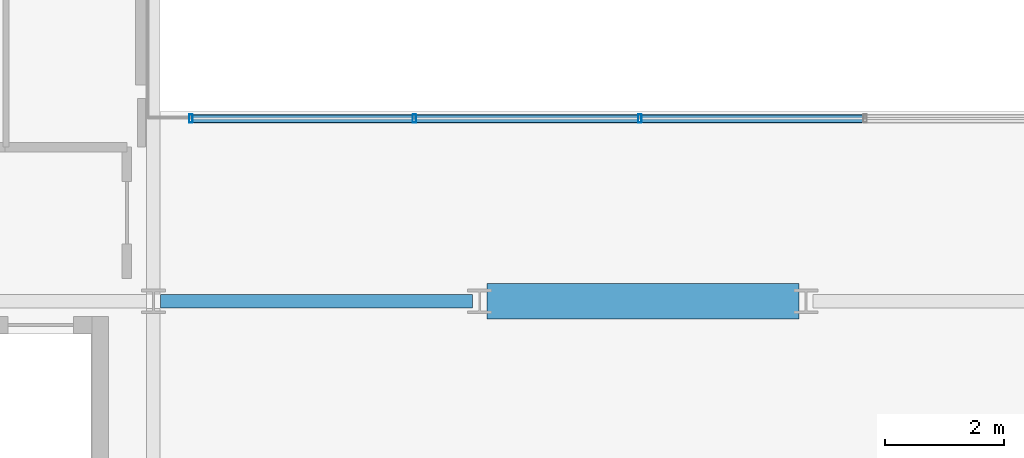
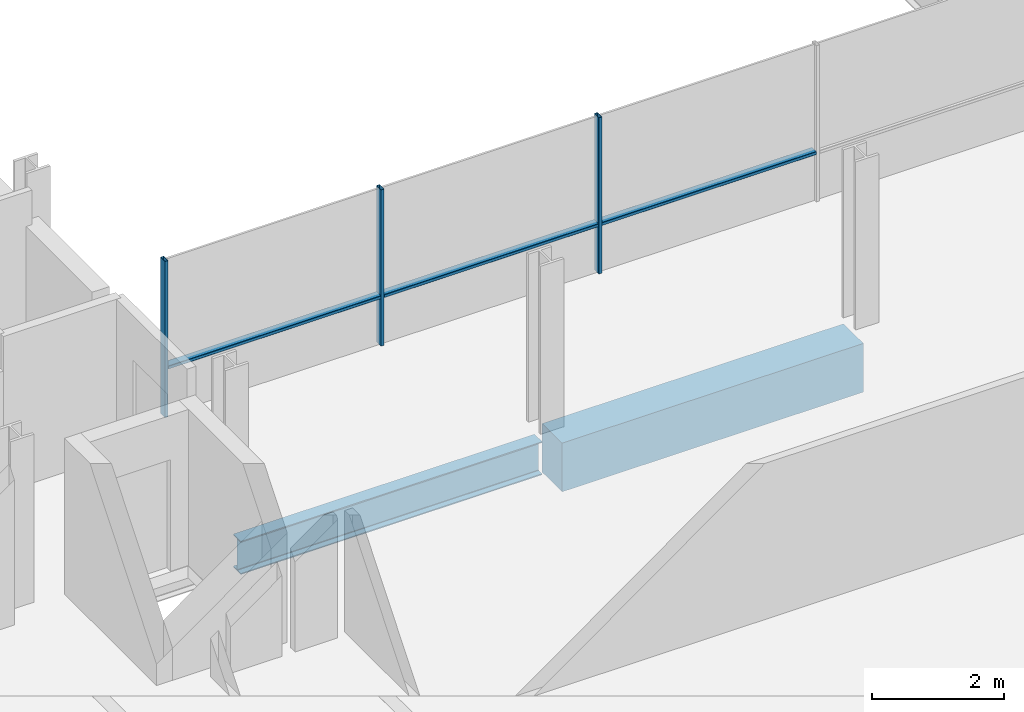
# One storey, part 4 of 40: 6 members, 2 beams, 1 element without a shape of its own.
"""IFC4 building model written with IfcOpenShell, lengths in metres."""

from ifc_helpers import new_model, si_unit, direction, frame, origin, origin_2d, place, context, subcontext, project, spatial, rectangle, hollow_rectangle, i_section, extrude, material, layer, layer_set, material_profile, profile_set, type_object, element, aggregate, save


model = new_model("IFC4")

# Units and contexts
model_context = context("Model", 3, precision=1e-05, world=origin(), true_north=direction((0.0, 1.0)))
body_context = subcontext(model_context, "Body", "Model", "MODEL_VIEW")
ifc_project = project(units=[si_unit("LENGTHUNIT", "METRE"), si_unit("AREAUNIT", "SQUARE_METRE"), si_unit("VOLUMEUNIT", "CUBIC_METRE"), si_unit("PLANEANGLEUNIT", "RADIAN"), si_unit("MASSUNIT", "GRAM", prefix="KILO")], contexts=[model_context])

# Site, building, storey
site_placement = place(None, origin())
site = spatial("IfcSite", under=ifc_project, at=site_placement, CompositionType="ELEMENT")
building_placement = place(site_placement, origin())
building = spatial("IfcBuilding", under=site, at=building_placement, Name="Brevholm Reach", CompositionType="ELEMENT")
storey_placement = place(building_placement, frame((0.0, 0.0, 125.199951171875)))
storey = spatial("IfcBuildingStorey", under=building, at=storey_placement, Name="L37", CompositionType="ELEMENT", Elevation=125.199951171875)

# Beams
ifc_material_1 = material(Name="Concrete C50/60", Category="concrete")
ifc_material_profile_1 = material_profile(ifc_material_1, rectangle(XDim=0.60009765625, YDim=0.89990234375, at=origin_2d()), Name="RC 600x900")
ifc_profile_set_1 = profile_set([ifc_material_profile_1], Name="Concrete C50/60")
beam_type_1 = type_object("IfcBeamType", Name="BM-CB600", PredefinedType="LINTEL", material=ifc_profile_set_1)
beam_1_placement = place(storey_placement, frame((27.3701171875, 10.0, -0.669921875), z_axis=(1.0, 0.0, 0.0), x_axis=(0.0, 1.0, 0.0)))
element("IfcBeam", 1, at=beam_1_placement, inside=storey, type_object=beam_type_1, Name="L37 CB-02 Framing Beam", PredefinedType="LINTEL", context=body_context, shape_type="SweptSolid", body=[
    extrude(rectangle(XDim=0.60009765625, YDim=0.89990234375, at=origin_2d()), origin(), (0.0, 0.0, 1.0), 5.259765625),
])
ifc_material_2 = material(Name="Structural Steel S355J2", Category="steel")
ifc_material_profile_2 = material_profile(ifc_material_2, i_section(OverallWidth=0.22900390625, OverallDepth=0.6123046875, WebThickness=0.011962890625, FlangeThickness=0.01953125, FilletRadius=0.0126953125, at=origin_2d()), Name="UKB 610x229x125")
ifc_profile_set_2 = profile_set([ifc_material_profile_2], Name="Structural Steel S355J2")
beam_type_2 = type_object("IfcBeamType", Name="BM-SP610", PredefinedType="SPANDREL", material=ifc_profile_set_2)
beam_2_placement = place(storey_placement, frame((21.8701171875, 10.0, -0.526123046875), z_axis=(1.0, 0.0, 0.0), x_axis=(0.0, 1.0, 0.0)))
element("IfcBeam", 2, at=beam_2_placement, inside=storey, type_object=beam_type_2, Name="L37 SP-01 Framing Beam", PredefinedType="SPANDREL", context=body_context, shape_type="SweptSolid", body=[
    extrude(i_section(OverallWidth=0.22900390625, OverallDepth=0.6123046875, WebThickness=0.011962890625, FlangeThickness=0.01953125, FilletRadius=0.0126953125, at=origin_2d()), origin(), (0.0, 0.0, 1.0), 5.259765625),
])

# Curtain wall, members
ifc_material_3 = material(Name="Dark Anodised Aluminium 6063-T6 and Solar-Control Glass", Category="aluminium")
ifc_layer = layer(ifc_material_3, 0.139892578125)
ifc_layer_set = layer_set([ifc_layer], Name="Dark Anodised Aluminium 6063-T6 and Solar-Control Glass")
curtain_wall_type = type_object("IfcCurtainWallType", Name="CW-02", PredefinedType="NOTDEFINED", material=ifc_layer_set)
curtain_wall_placement = place(storey_placement, origin())
curtain_wall = element("IfcCurtainWall", 3, at=curtain_wall_placement, inside=storey, type_object=curtain_wall_type, Name="L37 Curtain Wall CW-02", PredefinedType="NOTDEFINED")
ifc_material_4 = material(Name="Dark Anodised Aluminium 6063-T6", Category="aluminium")
ifc_material_profile_3 = material_profile(ifc_material_4, hollow_rectangle(XDim=0.06005859375, YDim=0.139892578125, WallThickness=0.0048828125, InnerFilletRadius=0.0048828125, OuterFilletRadius=0.010009765625, at=origin_2d()), Name="RHS 140x60x5")
ifc_profile_set_3 = profile_set([ifc_material_profile_3], Name="Dark Anodised Aluminium 6063-T6")
member_type_1 = type_object("IfcMemberType", Name="CWM-140", PredefinedType="MULLION", material=ifc_profile_set_3)
member_1_placement = place(storey_placement, frame((22.3798828125, 13.080078125, 0.0), z_axis=(0.0, 0.0, 1.0), x_axis=(1.0, 0.0, 0.0)))
member_1 = element("IfcMember", 4, at=member_1_placement, type_object=member_type_1, Name="CM-140 Mullion 1", PredefinedType="MULLION", context=body_context, shape_type="SweptSolid", body=[
    extrude(hollow_rectangle(XDim=0.06005859375, YDim=0.139892578125, WallThickness=0.0048828125, InnerFilletRadius=0.0048828125, OuterFilletRadius=0.010009765625, at=origin_2d()), origin(), (0.0, 0.0, 1.0), 2.880126953125),
])
member_2_placement = place(storey_placement, frame((26.14990234375, 13.080078125, 0.0), z_axis=(0.0, 0.0, 1.0), x_axis=(1.0, 0.0, 0.0)))
member_2 = element("IfcMember", 5, at=member_2_placement, type_object=member_type_1, Name="CM-140 Mullion 2", PredefinedType="MULLION", context=body_context, shape_type="SweptSolid", body=[
    extrude(hollow_rectangle(XDim=0.06005859375, YDim=0.139892578125, WallThickness=0.0048828125, InnerFilletRadius=0.0048828125, OuterFilletRadius=0.010009765625, at=origin_2d()), origin(), (0.0, 0.0, 1.0), 2.880126953125),
])
member_3_placement = place(storey_placement, frame((29.949951171875, 13.080078125, 0.0), z_axis=(0.0, 0.0, 1.0), x_axis=(1.0, 0.0, 0.0)))
member_3 = element("IfcMember", 6, at=member_3_placement, type_object=member_type_1, Name="CM-140 Mullion 3", PredefinedType="MULLION", context=body_context, shape_type="SweptSolid", body=[
    extrude(hollow_rectangle(XDim=0.06005859375, YDim=0.139892578125, WallThickness=0.0048828125, InnerFilletRadius=0.0048828125, OuterFilletRadius=0.010009765625, at=origin_2d()), origin(), (0.0, 0.0, 1.0), 2.880126953125),
])
ifc_material_5 = material(Name="Dark Anodised Aluminium 6063-T6", Category="aluminium")
ifc_material_profile_4 = material_profile(ifc_material_5, hollow_rectangle(XDim=0.06005859375, YDim=0.139892578125, WallThickness=0.0048828125, InnerFilletRadius=0.0048828125, OuterFilletRadius=0.010009765625, at=origin_2d()), Name="RHS 140x60x5")
ifc_profile_set_4 = profile_set([ifc_material_profile_4], Name="Dark Anodised Aluminium 6063-T6")
member_type_2 = type_object("IfcMemberType", Name="CWT-140", PredefinedType="NOTDEFINED", material=ifc_profile_set_4)
member_4_placement = place(storey_placement, frame((22.409912109375, 13.080078125, 0.900146484375), z_axis=(1.0, 0.0, 0.0), x_axis=(0.0, 0.0, 1.0)))
member_4 = element("IfcMember", 7, at=member_4_placement, type_object=member_type_2, Name="CT-140 Transom 1.1", ObjectType="TRANSOM", PredefinedType="USERDEFINED", context=body_context, shape_type="SweptSolid", body=[
    extrude(hollow_rectangle(XDim=0.06005859375, YDim=0.139892578125, WallThickness=0.0048828125, InnerFilletRadius=0.0048828125, OuterFilletRadius=0.010009765625, at=origin_2d()), origin(), (0.0, 0.0, 1.0), 3.710205078125),
])
member_5_placement = place(storey_placement, frame((26.179931640625, 13.080078125, 0.900146484375), z_axis=(1.0, 0.0, 0.0), x_axis=(0.0, 0.0, 1.0)))
member_5 = element("IfcMember", 8, at=member_5_placement, type_object=member_type_2, Name="CT-140 Transom 2.1", ObjectType="TRANSOM", PredefinedType="USERDEFINED", context=body_context, shape_type="SweptSolid", body=[
    extrude(hollow_rectangle(XDim=0.06005859375, YDim=0.139892578125, WallThickness=0.0048828125, InnerFilletRadius=0.0048828125, OuterFilletRadius=0.010009765625, at=origin_2d()), origin(), (0.0, 0.0, 1.0), 3.739990234375),
])
member_6_placement = place(storey_placement, frame((29.97998046875, 13.080078125, 0.900146484375), z_axis=(1.0, 0.0, 0.0), x_axis=(0.0, 0.0, 1.0)))
member_6 = element("IfcMember", 9, at=member_6_placement, type_object=member_type_2, Name="CT-140 Transom 3.1", ObjectType="TRANSOM", PredefinedType="USERDEFINED", context=body_context, shape_type="SweptSolid", body=[
    extrude(hollow_rectangle(XDim=0.06005859375, YDim=0.139892578125, WallThickness=0.0048828125, InnerFilletRadius=0.0048828125, OuterFilletRadius=0.010009765625, at=origin_2d()), origin(), (0.0, 0.0, 1.0), 3.739990234375),
])
aggregate(curtain_wall, [member_1, member_2, member_3, member_4, member_5, member_6])

save(model, "model.ifc")
